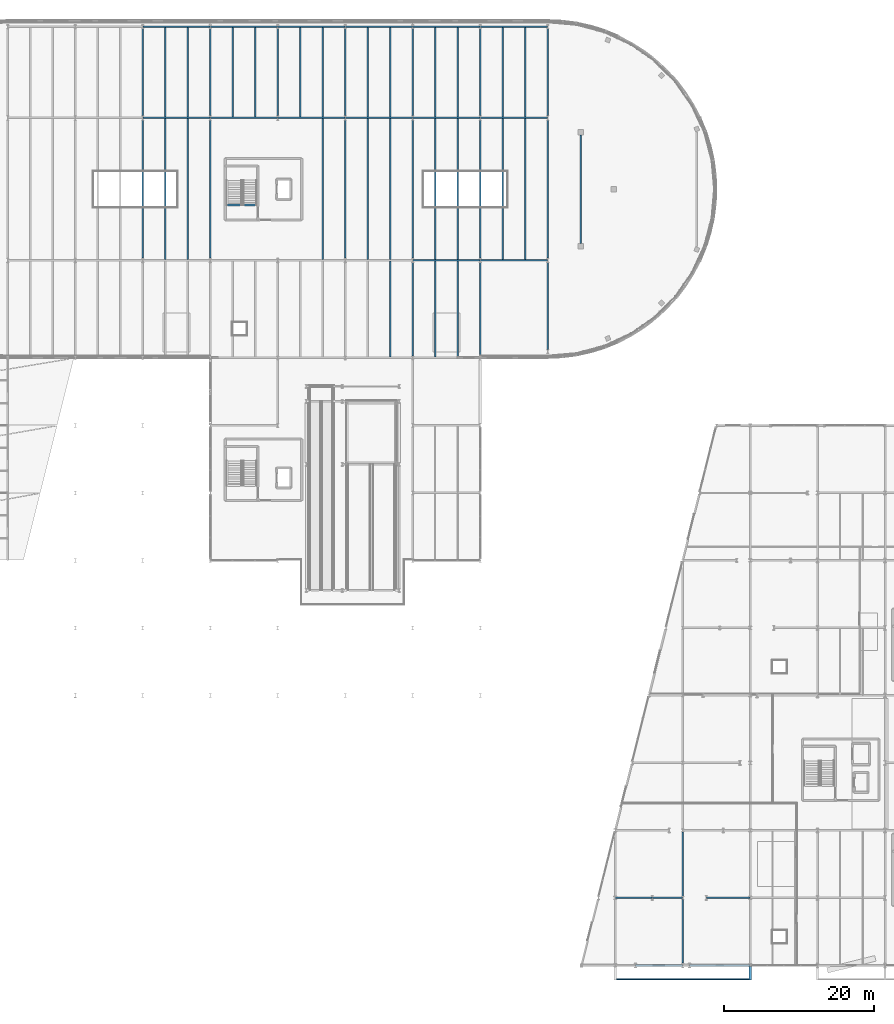
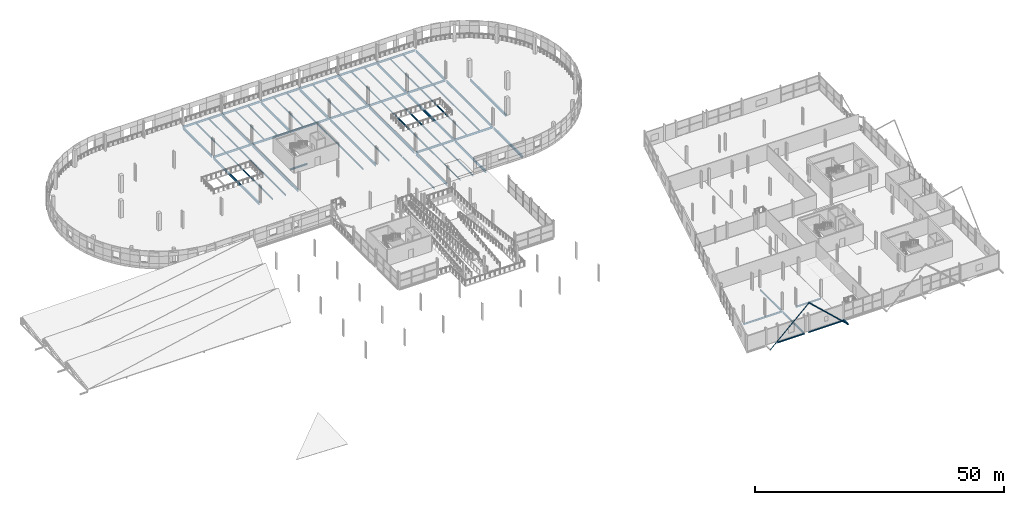
# One storey, part 41 of 103: 64 beams, 2 members.
"""IFC4 building model written with IfcOpenShell, lengths in metres."""

from ifc_helpers import new_model, si_unit, direction, frame, origin, origin_2d, place, context, subcontext, project, spatial, hollow_circle, i_section, extrude, material, material_profile, profile_set, type_object, element, save


model = new_model("IFC4")

# Units and contexts
model_context = context("Model", 3, precision=1e-05, world=origin(), true_north=direction((0.0, 1.0)))
body_context = subcontext(model_context, "Body", "Model", "MODEL_VIEW")
ifc_project = project(units=[si_unit("LENGTHUNIT", "METRE"), si_unit("AREAUNIT", "SQUARE_METRE"), si_unit("VOLUMEUNIT", "CUBIC_METRE"), si_unit("PLANEANGLEUNIT", "RADIAN"), si_unit("MASSUNIT", "GRAM", prefix="KILO")], contexts=[model_context])

# Site, building, storey
site_placement = place(None, origin())
site = spatial("IfcSite", under=ifc_project, at=site_placement, CompositionType="ELEMENT")
building_placement = place(site_placement, origin())
building = spatial("IfcBuilding", under=site, at=building_placement, Name="Deido Ridge Mobility Hub", CompositionType="ELEMENT")
storey_placement = place(building_placement, frame((0.0, 0.0, 12.60009765625)))
storey = spatial("IfcBuildingStorey", under=building, at=storey_placement, Name="L03", CompositionType="ELEMENT", Elevation=12.60009765625)

# Beams
ifc_material_1 = material(Name="Steel S355J2 EN 10025-2", Category="steel")
ifc_material_profile_1 = material_profile(ifc_material_1, i_section(OverallWidth=0.300048828125, OverallDepth=0.330078125, WebThickness=0.009521484375, FlangeThickness=0.0166015625, FilletRadius=0.027099609375, at=origin_2d()), Name="HEA 340")
ifc_profile_set_1 = profile_set([ifc_material_profile_1], Name="Steel S355J2 EN 10025-2")
beam_type_1 = type_object("IfcBeamType", Name="BM-HEA340", PredefinedType="BEAM", material=ifc_profile_set_1)
beam_1_placement = place(storey_placement, frame((74.14990234375, 101.39990234375, -0.43017578125), z_axis=(1.0, 0.0, 0.0), x_axis=(0.0, 1.0, 0.0)))
element("IfcBeam", 1, at=beam_1_placement, inside=storey, type_object=beam_type_1, Name="C5 stair landing trimmer beam B6", PredefinedType="BEAM", context=body_context, shape_type="SweptSolid", body=[
    extrude(i_section(OverallWidth=0.300048828125, OverallDepth=0.330078125, WebThickness=0.009521484375, FlangeThickness=0.0166015625, FilletRadius=0.027099609375, at=origin_2d()), origin(), (0.0, 0.0, 1.0), 4.085205078125),
])
ifc_material_profile_2 = material_profile(ifc_material_1, i_section(OverallWidth=0.179931640625, OverallDepth=0.39990234375, WebThickness=0.008544921875, FlangeThickness=0.013427734375, FilletRadius=0.02099609375, at=origin_2d()), Name="IPE 400")
ifc_profile_set_2 = profile_set([ifc_material_profile_2], Name="Steel S355J2 EN 10025-2")
beam_type_2 = type_object("IfcBeamType", Name="BM-IPE400", PredefinedType="BEAM", material=ifc_profile_set_2)
beam_2_placement = place(storey_placement, frame((126.0087890625, 9.0, -0.465087890625), z_axis=(1.0, 0.0, 0.0), x_axis=(0.0, 1.0, 0.0)))
element("IfcBeam", 2, at=beam_2_placement, inside=storey, type_object=beam_type_2, Name="Floor beam B5", PredefinedType="BEAM", context=body_context, shape_type="SweptSolid", body=[
    extrude(i_section(OverallWidth=0.179931640625, OverallDepth=0.39990234375, WebThickness=0.008544921875, FlangeThickness=0.013427734375, FilletRadius=0.02099609375, at=origin_2d()), origin(), (0.0, 0.0, 1.0), 4.93359375),
])
beam_3_placement = place(storey_placement, frame((130.957763671875, 9.0, -0.465087890625), z_axis=(1.0, 0.0, 0.0), x_axis=(0.0, 1.0, 0.0)))
element("IfcBeam", 3, at=beam_3_placement, inside=storey, type_object=beam_type_2, Name="Floor beam B5", PredefinedType="BEAM", context=body_context, shape_type="SweptSolid", body=[
    extrude(i_section(OverallWidth=0.179931640625, OverallDepth=0.39990234375, WebThickness=0.008544921875, FlangeThickness=0.013427734375, FilletRadius=0.02099609375, at=origin_2d()), origin(), (0.0, 0.0, 1.0), 4.035400390625),
])
beam_4_placement = place(storey_placement, frame((138.15771484375, 9.0, -0.465087890625), z_axis=(1.0, 0.0, 0.0), x_axis=(0.0, 1.0, 0.0)))
element("IfcBeam", 4, at=beam_4_placement, inside=storey, type_object=beam_type_2, Name="Floor beam B5", PredefinedType="BEAM", context=body_context, shape_type="SweptSolid", body=[
    extrude(i_section(OverallWidth=0.179931640625, OverallDepth=0.39990234375, WebThickness=0.008544921875, FlangeThickness=0.013427734375, FilletRadius=0.02099609375, at=origin_2d()), origin(), (0.0, 0.0, 1.0), 5.83349609375),
])
ifc_material_profile_3 = material_profile(ifc_material_1, i_section(OverallWidth=0.18994140625, OverallDepth=0.449951171875, WebThickness=0.009521484375, FlangeThickness=0.0146484375, FilletRadius=0.02099609375, at=origin_2d()), Name="IPE 450")
ifc_profile_set_3 = profile_set([ifc_material_profile_3], Name="Steel S355J2 EN 10025-2")
beam_type_3 = type_object("IfcBeamType", Name="BM-IPE450", PredefinedType="BEAM", material=ifc_profile_set_3)
beam_5_placement = place(storey_placement, frame((135.0, 0.300048828125, -0.489990234375), z_axis=(0.0, 1.0, 0.0), x_axis=(-1.0, 0.0, 0.0)))
element("IfcBeam", 5, at=beam_5_placement, inside=storey, type_object=beam_type_3, Name="Floor beam B4", PredefinedType="BEAM", context=body_context, shape_type="SweptSolid", body=[
    extrude(i_section(OverallWidth=0.18994140625, OverallDepth=0.449951171875, WebThickness=0.009521484375, FlangeThickness=0.0146484375, FilletRadius=0.02099609375, at=origin_2d()), origin(), (0.0, 0.0, 1.0), 8.5),
])
beam_6_placement = place(storey_placement, frame((135.0, 9.199951171875, -0.489990234375), z_axis=(0.0, 1.0, 0.0), x_axis=(-1.0, 0.0, 0.0)))
element("IfcBeam", 6, at=beam_6_placement, inside=storey, type_object=beam_type_3, Name="Floor beam B4", PredefinedType="BEAM", context=body_context, shape_type="SweptSolid", body=[
    extrude(i_section(OverallWidth=0.18994140625, OverallDepth=0.449951171875, WebThickness=0.009521484375, FlangeThickness=0.0146484375, FilletRadius=0.02099609375, at=origin_2d()), origin(), (0.0, 0.0, 1.0), 8.60009765625),
])
ifc_material_profile_4 = material_profile(ifc_material_1, i_section(OverallWidth=0.199951171875, OverallDepth=0.5, WebThickness=0.01025390625, FlangeThickness=0.01611328125, FilletRadius=0.02099609375, at=origin_2d()), Name="IPE 500")
ifc_profile_set_4 = profile_set([ifc_material_profile_4], Name="Steel S355J2 EN 10025-2")
beam_type_4 = type_object("IfcBeamType", Name="BM-IPE500", PredefinedType="BEAM", material=ifc_profile_set_4)
for number, where, z_axis, x_axis, name in (
    (7, (99.0078125, 94.0, -0.51513671875), (1.0, 0.0, 0.0), (0.0, 1.0, 0.0), "Floor beam B3"),
    (8, (108.0078125, 94.0, -0.51513671875), (1.0, 0.0, 0.0), (0.0, 1.0, 0.0), "Floor beam B3"),
    (9, (63.0078125, 113.0, -0.51513671875), (1.0, 0.0, 0.0), (0.0, 1.0, 0.0), "Floor beam B3"),
    (10, (72.0078125, 113.0, -0.51513671875), (1.0, 0.0, 0.0), (0.0, 1.0, 0.0), "Floor beam B3"),
    (11, (81.0078125, 113.0, -0.51513671875), (1.0, 0.0, 0.0), (0.0, 1.0, 0.0), "Floor beam B3"),
    (12, (90.0078125, 113.0, -0.51513671875), (1.0, 0.0, 0.0), (0.0, 1.0, 0.0), "Floor beam B3"),
    (13, (99.0078125, 113.0, -0.51513671875), (1.0, 0.0, 0.0), (0.0, 1.0, 0.0), "Floor beam B3"),
    (14, (108.0078125, 113.0, -0.51513671875), (1.0, 0.0, 0.0), (0.0, 1.0, 0.0), "Floor beam B3"),
):
    element("IfcBeam", number, at=place(storey_placement, frame(where, z_axis=z_axis, x_axis=x_axis)), inside=storey, type_object=beam_type_4, Name=name, PredefinedType="BEAM", context=body_context, shape_type="SweptSolid", body=[
        extrude(i_section(OverallWidth=0.199951171875, OverallDepth=0.5, WebThickness=0.01025390625, FlangeThickness=0.01611328125, FilletRadius=0.02099609375, at=origin_2d()), origin(), (0.0, 0.0, 1.0), 8.984375),
    ])
for number, where, z_axis, x_axis, name in (
    (15, (63.007080078125, 125.14990234375, -0.51513671875), (1.0, 0.0, 0.0), (0.0, 1.0, 0.0), "Floor beam B3"),
    (16, (72.007080078125, 125.14990234375, -0.51513671875), (1.0, 0.0, 0.0), (0.0, 1.0, 0.0), "Floor beam B3"),
    (17, (81.007080078125, 125.14990234375, -0.51513671875), (1.0, 0.0, 0.0), (0.0, 1.0, 0.0), "Floor beam B3"),
    (18, (90.007080078125, 125.14990234375, -0.51513671875), (1.0, 0.0, 0.0), (0.0, 1.0, 0.0), "Floor beam B3"),
    (19, (99.007080078125, 125.14990234375, -0.51513671875), (1.0, 0.0, 0.0), (0.0, 1.0, 0.0), "Floor beam B3"),
    (20, (108.007080078125, 125.14990234375, -0.51513671875), (1.0, 0.0, 0.0), (0.0, 1.0, 0.0), "Floor beam B3"),
):
    element("IfcBeam", number, at=place(storey_placement, frame(where, z_axis=z_axis, x_axis=x_axis)), inside=storey, type_object=beam_type_4, Name=name, PredefinedType="BEAM", context=body_context, shape_type="SweptSolid", body=[
        extrude(i_section(OverallWidth=0.199951171875, OverallDepth=0.5, WebThickness=0.01025390625, FlangeThickness=0.01611328125, FilletRadius=0.02099609375, at=origin_2d()), origin(), (0.0, 0.0, 1.0), 8.98583984375),
    ])
ifc_material_profile_5 = material_profile(ifc_material_1, i_section(OverallWidth=0.219970703125, OverallDepth=0.60009765625, WebThickness=0.011962890625, FlangeThickness=0.01904296875, FilletRadius=0.02392578125, at=origin_2d()), Name="IPE 600")
ifc_profile_set_5 = profile_set([ifc_material_profile_5], Name="Steel S355J2 EN 10025-2")
beam_type_5 = type_object("IfcBeamType", Name="BM-IPE600", PredefinedType="BEAM", material=ifc_profile_set_5)
beam_7_placement = place(storey_placement, frame((63.0, 94.300048828125, -0.565185546875), z_axis=(0.0, 1.0, 0.0), x_axis=(-1.0, 0.0, 0.0)))
element("IfcBeam", 21, at=beam_7_placement, inside=storey, type_object=beam_type_5, Name="Floor beam B1", PredefinedType="BEAM", context=body_context, shape_type="SweptSolid", body=[
    extrude(i_section(OverallWidth=0.219970703125, OverallDepth=0.60009765625, WebThickness=0.011962890625, FlangeThickness=0.01904296875, FilletRadius=0.02392578125, at=origin_2d()), origin(), (0.0, 0.0, 1.0), 18.39990234375),
])
beam_8_placement = place(storey_placement, frame((63.0, 113.300048828125, -0.565185546875), z_axis=(0.0, 1.0, 0.0), x_axis=(-1.0, 0.0, 0.0)))
element("IfcBeam", 22, at=beam_8_placement, inside=storey, type_object=beam_type_5, Name="Floor beam B1", PredefinedType="BEAM", context=body_context, shape_type="SweptSolid", body=[
    extrude(i_section(OverallWidth=0.219970703125, OverallDepth=0.60009765625, WebThickness=0.011962890625, FlangeThickness=0.01904296875, FilletRadius=0.02392578125, at=origin_2d()), origin(), (0.0, 0.0, 1.0), 11.599853515625),
])
beam_9_placement = place(storey_placement, frame((72.0, 94.300048828125, -0.565185546875), z_axis=(0.0, 1.0, 0.0), x_axis=(-1.0, 0.0, 0.0)))
element("IfcBeam", 23, at=beam_9_placement, inside=storey, type_object=beam_type_5, Name="Floor beam B1", PredefinedType="BEAM", context=body_context, shape_type="SweptSolid", body=[
    extrude(i_section(OverallWidth=0.219970703125, OverallDepth=0.60009765625, WebThickness=0.011962890625, FlangeThickness=0.01904296875, FilletRadius=0.02392578125, at=origin_2d()), origin(), (0.0, 0.0, 1.0), 18.39990234375),
])
for number, where, z_axis, x_axis, name in (
    (24, (72.0, 113.300048828125, -0.565185546875), (0.0, 1.0, 0.0), (-1.0, 0.0, 0.0), "Floor beam B1"),
    (25, (81.0, 113.300048828125, -0.565185546875), (0.0, 1.0, 0.0), (-1.0, 0.0, 0.0), "Floor beam B1"),
):
    element("IfcBeam", number, at=place(storey_placement, frame(where, z_axis=z_axis, x_axis=x_axis)), inside=storey, type_object=beam_type_5, Name=name, PredefinedType="BEAM", context=body_context, shape_type="SweptSolid", body=[
        extrude(i_section(OverallWidth=0.219970703125, OverallDepth=0.60009765625, WebThickness=0.011962890625, FlangeThickness=0.01904296875, FilletRadius=0.02392578125, at=origin_2d()), origin(), (0.0, 0.0, 1.0), 11.599853515625),
    ])
beam_10_placement = place(storey_placement, frame((90.0, 94.300048828125, -0.565185546875), z_axis=(0.0, 1.0, 0.0), x_axis=(-1.0, 0.0, 0.0)))
element("IfcBeam", 26, at=beam_10_placement, inside=storey, type_object=beam_type_5, Name="Floor beam B1", PredefinedType="BEAM", context=body_context, shape_type="SweptSolid", body=[
    extrude(i_section(OverallWidth=0.219970703125, OverallDepth=0.60009765625, WebThickness=0.011962890625, FlangeThickness=0.01904296875, FilletRadius=0.02392578125, at=origin_2d()), origin(), (0.0, 0.0, 1.0), 18.39990234375),
])
beam_11_placement = place(storey_placement, frame((90.0, 113.300048828125, -0.565185546875), z_axis=(0.0, 1.0, 0.0), x_axis=(-1.0, 0.0, 0.0)))
element("IfcBeam", 27, at=beam_11_placement, inside=storey, type_object=beam_type_5, Name="Floor beam B1", PredefinedType="BEAM", context=body_context, shape_type="SweptSolid", body=[
    extrude(i_section(OverallWidth=0.219970703125, OverallDepth=0.60009765625, WebThickness=0.011962890625, FlangeThickness=0.01904296875, FilletRadius=0.02392578125, at=origin_2d()), origin(), (0.0, 0.0, 1.0), 11.599853515625),
])
beam_12_placement = place(storey_placement, frame((99.0, 81.25, -0.565185546875), z_axis=(0.0, 1.0, 0.0), x_axis=(-1.0, 0.0, 0.0)))
element("IfcBeam", 28, at=beam_12_placement, inside=storey, type_object=beam_type_5, Name="Floor beam B1", PredefinedType="BEAM", context=body_context, shape_type="SweptSolid", body=[
    extrude(i_section(OverallWidth=0.219970703125, OverallDepth=0.60009765625, WebThickness=0.011962890625, FlangeThickness=0.01904296875, FilletRadius=0.02392578125, at=origin_2d()), origin(), (0.0, 0.0, 1.0), 12.449951171875),
])
beam_13_placement = place(storey_placement, frame((99.0, 94.300048828125, -0.565185546875), z_axis=(0.0, 1.0, 0.0), x_axis=(-1.0, 0.0, 0.0)))
element("IfcBeam", 29, at=beam_13_placement, inside=storey, type_object=beam_type_5, Name="Floor beam B1", PredefinedType="BEAM", context=body_context, shape_type="SweptSolid", body=[
    extrude(i_section(OverallWidth=0.219970703125, OverallDepth=0.60009765625, WebThickness=0.011962890625, FlangeThickness=0.01904296875, FilletRadius=0.02392578125, at=origin_2d()), origin(), (0.0, 0.0, 1.0), 18.39990234375),
])
beam_14_placement = place(storey_placement, frame((99.0, 113.300048828125, -0.565185546875), z_axis=(0.0, 1.0, 0.0), x_axis=(-1.0, 0.0, 0.0)))
element("IfcBeam", 30, at=beam_14_placement, inside=storey, type_object=beam_type_5, Name="Floor beam B1", PredefinedType="BEAM", context=body_context, shape_type="SweptSolid", body=[
    extrude(i_section(OverallWidth=0.219970703125, OverallDepth=0.60009765625, WebThickness=0.011962890625, FlangeThickness=0.01904296875, FilletRadius=0.02392578125, at=origin_2d()), origin(), (0.0, 0.0, 1.0), 11.599853515625),
])
beam_15_placement = place(storey_placement, frame((108.0, 81.25, -0.565185546875), z_axis=(0.0, 1.0, 0.0), x_axis=(-1.0, 0.0, 0.0)))
element("IfcBeam", 31, at=beam_15_placement, inside=storey, type_object=beam_type_5, Name="Floor beam B1", PredefinedType="BEAM", context=body_context, shape_type="SweptSolid", body=[
    extrude(i_section(OverallWidth=0.219970703125, OverallDepth=0.60009765625, WebThickness=0.011962890625, FlangeThickness=0.01904296875, FilletRadius=0.02392578125, at=origin_2d()), origin(), (0.0, 0.0, 1.0), 12.449951171875),
])
beam_16_placement = place(storey_placement, frame((108.0, 94.300048828125, -0.565185546875), z_axis=(0.0, 1.0, 0.0), x_axis=(-1.0, 0.0, 0.0)))
element("IfcBeam", 32, at=beam_16_placement, inside=storey, type_object=beam_type_5, Name="Floor beam B1", PredefinedType="BEAM", context=body_context, shape_type="SweptSolid", body=[
    extrude(i_section(OverallWidth=0.219970703125, OverallDepth=0.60009765625, WebThickness=0.011962890625, FlangeThickness=0.01904296875, FilletRadius=0.02392578125, at=origin_2d()), origin(), (0.0, 0.0, 1.0), 18.39990234375),
])
for number, where, z_axis, x_axis, name in (
    (33, (108.0, 113.300048828125, -0.565185546875), (0.0, 1.0, 0.0), (-1.0, 0.0, 0.0), "Floor beam B1"),
    (34, (117.0, 82.10009765625, -0.565185546875), (0.0, 1.0, 0.0), (-1.0, 0.0, 0.0), "Floor beam B1"),
):
    element("IfcBeam", number, at=place(storey_placement, frame(where, z_axis=z_axis, x_axis=x_axis)), inside=storey, type_object=beam_type_5, Name=name, PredefinedType="BEAM", context=body_context, shape_type="SweptSolid", body=[
        extrude(i_section(OverallWidth=0.219970703125, OverallDepth=0.60009765625, WebThickness=0.011962890625, FlangeThickness=0.01904296875, FilletRadius=0.02392578125, at=origin_2d()), origin(), (0.0, 0.0, 1.0), 11.599853515625),
    ])
beam_17_placement = place(storey_placement, frame((117.0, 94.300048828125, -0.565185546875), z_axis=(0.0, 1.0, 0.0), x_axis=(-1.0, 0.0, 0.0)))
element("IfcBeam", 35, at=beam_17_placement, inside=storey, type_object=beam_type_5, Name="Floor beam B1", PredefinedType="BEAM", context=body_context, shape_type="SweptSolid", body=[
    extrude(i_section(OverallWidth=0.219970703125, OverallDepth=0.60009765625, WebThickness=0.011962890625, FlangeThickness=0.01904296875, FilletRadius=0.02392578125, at=origin_2d()), origin(), (0.0, 0.0, 1.0), 18.39990234375),
])
beam_18_placement = place(storey_placement, frame((117.0, 113.300048828125, -0.565185546875), z_axis=(0.0, 1.0, 0.0), x_axis=(-1.0, 0.0, 0.0)))
element("IfcBeam", 36, at=beam_18_placement, inside=storey, type_object=beam_type_5, Name="Floor beam B1", PredefinedType="BEAM", context=body_context, shape_type="SweptSolid", body=[
    extrude(i_section(OverallWidth=0.219970703125, OverallDepth=0.60009765625, WebThickness=0.011962890625, FlangeThickness=0.01904296875, FilletRadius=0.02392578125, at=origin_2d()), origin(), (0.0, 0.0, 1.0), 11.599853515625),
])
beam_19_placement = place(storey_placement, frame((121.39990234375, 96.2548828125, -0.565185546875), z_axis=(0.0, 1.0, 0.0), x_axis=(-1.0, 0.0, 0.0)))
element("IfcBeam", 37, at=beam_19_placement, inside=storey, type_object=beam_type_5, Name="Floor beam B1", PredefinedType="BEAM", context=body_context, shape_type="SweptSolid", body=[
    extrude(i_section(OverallWidth=0.219970703125, OverallDepth=0.60009765625, WebThickness=0.011962890625, FlangeThickness=0.01904296875, FilletRadius=0.02392578125, at=origin_2d()), origin(), (0.0, 0.0, 1.0), 14.490234375),
])
ifc_material_profile_6 = material_profile(ifc_material_1, i_section(OverallWidth=0.159912109375, OverallDepth=0.330078125, WebThickness=0.007568359375, FlangeThickness=0.011474609375, FilletRadius=0.01806640625, at=origin_2d()), Name="IPE 330")
ifc_profile_set_6 = profile_set([ifc_material_profile_6], Name="Steel S355J2 EN 10025-2")
beam_type_6 = type_object("IfcBeamType", Name="JST-IPE330", PredefinedType="JOIST", material=ifc_profile_set_6)
beam_20_placement = place(storey_placement, frame((102.0, 81.10009765625, -0.43017578125), z_axis=(0.0, 1.0, 0.0), x_axis=(-1.0, 0.0, 0.0)))
element("IfcBeam", 38, at=beam_20_placement, inside=storey, type_object=beam_type_6, Name="Composite joist J2", PredefinedType="JOIST", context=body_context, shape_type="SweptSolid", body=[
    extrude(i_section(OverallWidth=0.159912109375, OverallDepth=0.330078125, WebThickness=0.007568359375, FlangeThickness=0.011474609375, FilletRadius=0.01806640625, at=origin_2d()), origin(), (0.0, 0.0, 1.0), 12.7998046875),
])
for number, where, z_axis, x_axis, name in (
    (39, (66.0, 94.10009765625, -0.43017578125), (0.0, 1.0, 0.0), (-1.0, 0.0, 0.0), "Composite joist J2"),
    (40, (93.0, 94.10009765625, -0.43017578125), (0.0, 1.0, 0.0), (-1.0, 0.0, 0.0), "Composite joist J2"),
    (41, (102.0, 94.10009765625, -0.43017578125), (0.0, 1.0, 0.0), (-1.0, 0.0, 0.0), "Composite joist J2"),
    (42, (111.0, 94.10009765625, -0.43017578125), (0.0, 1.0, 0.0), (-1.0, 0.0, 0.0), "Composite joist J2"),
):
    element("IfcBeam", number, at=place(storey_placement, frame(where, z_axis=z_axis, x_axis=x_axis)), inside=storey, type_object=beam_type_6, Name=name, PredefinedType="JOIST", context=body_context, shape_type="SweptSolid", body=[
        extrude(i_section(OverallWidth=0.159912109375, OverallDepth=0.330078125, WebThickness=0.007568359375, FlangeThickness=0.011474609375, FilletRadius=0.01806640625, at=origin_2d()), origin(), (0.0, 0.0, 1.0), 18.7998046875),
    ])
for number, where, z_axis, x_axis, name in (
    (43, (66.0, 113.10009765625, -0.43017578125), (0.0, 1.0, 0.0), (-1.0, 0.0, 0.0), "Composite joist J2"),
    (44, (75.0, 113.10009765625, -0.43017578125), (0.0, 1.0, 0.0), (-1.0, 0.0, 0.0), "Composite joist J2"),
    (45, (84.0, 113.10009765625, -0.43017578125), (0.0, 1.0, 0.0), (-1.0, 0.0, 0.0), "Composite joist J2"),
    (46, (93.0, 113.10009765625, -0.43017578125), (0.0, 1.0, 0.0), (-1.0, 0.0, 0.0), "Composite joist J2"),
    (47, (102.0, 113.10009765625, -0.43017578125), (0.0, 1.0, 0.0), (-1.0, 0.0, 0.0), "Composite joist J2"),
    (48, (111.0, 113.10009765625, -0.43017578125), (0.0, 1.0, 0.0), (-1.0, 0.0, 0.0), "Composite joist J2"),
):
    element("IfcBeam", number, at=place(storey_placement, frame(where, z_axis=z_axis, x_axis=x_axis)), inside=storey, type_object=beam_type_6, Name=name, PredefinedType="JOIST", context=body_context, shape_type="SweptSolid", body=[
        extrude(i_section(OverallWidth=0.159912109375, OverallDepth=0.330078125, WebThickness=0.007568359375, FlangeThickness=0.011474609375, FilletRadius=0.01806640625, at=origin_2d()), origin(), (0.0, 0.0, 1.0), 11.949951171875),
    ])
ifc_material_profile_7 = material_profile(ifc_material_1, i_section(OverallWidth=0.169921875, OverallDepth=0.360107421875, WebThickness=0.008056640625, FlangeThickness=0.0126953125, FilletRadius=0.01806640625, at=origin_2d()), Name="IPE 360")
ifc_profile_set_7 = profile_set([ifc_material_profile_7], Name="Steel S355J2 EN 10025-2")
beam_type_7 = type_object("IfcBeamType", Name="JST-IPE360", PredefinedType="JOIST", material=ifc_profile_set_7)
for number, where, z_axis, x_axis, name in (
    (49, (96.0, 81.10009765625, -0.445068359375), (0.0, 1.0, 0.0), (-1.0, 0.0, 0.0), "Composite joist J1"),
    (50, (105.0, 81.10009765625, -0.445068359375), (0.0, 1.0, 0.0), (-1.0, 0.0, 0.0), "Composite joist J1"),
):
    element("IfcBeam", number, at=place(storey_placement, frame(where, z_axis=z_axis, x_axis=x_axis)), inside=storey, type_object=beam_type_7, Name=name, PredefinedType="JOIST", context=body_context, shape_type="SweptSolid", body=[
        extrude(i_section(OverallWidth=0.169921875, OverallDepth=0.360107421875, WebThickness=0.008056640625, FlangeThickness=0.0126953125, FilletRadius=0.01806640625, at=origin_2d()), origin(), (0.0, 0.0, 1.0), 12.7998046875),
    ])
for number, where, z_axis, x_axis, name in (
    (51, (69.0, 94.10009765625, -0.445068359375), (0.0, 1.0, 0.0), (-1.0, 0.0, 0.0), "Composite joist J1"),
    (52, (87.0, 94.10009765625, -0.445068359375), (0.0, 1.0, 0.0), (-1.0, 0.0, 0.0), "Composite joist J1"),
    (53, (96.0, 94.10009765625, -0.445068359375), (0.0, 1.0, 0.0), (-1.0, 0.0, 0.0), "Composite joist J1"),
    (54, (105.0, 94.10009765625, -0.445068359375), (0.0, 1.0, 0.0), (-1.0, 0.0, 0.0), "Composite joist J1"),
    (55, (114.0, 94.10009765625, -0.445068359375), (0.0, 1.0, 0.0), (-1.0, 0.0, 0.0), "Composite joist J1"),
):
    element("IfcBeam", number, at=place(storey_placement, frame(where, z_axis=z_axis, x_axis=x_axis)), inside=storey, type_object=beam_type_7, Name=name, PredefinedType="JOIST", context=body_context, shape_type="SweptSolid", body=[
        extrude(i_section(OverallWidth=0.169921875, OverallDepth=0.360107421875, WebThickness=0.008056640625, FlangeThickness=0.0126953125, FilletRadius=0.01806640625, at=origin_2d()), origin(), (0.0, 0.0, 1.0), 18.7998046875),
    ])
for number, where, z_axis, x_axis, name in (
    (56, (69.0, 113.10009765625, -0.445068359375), (0.0, 1.0, 0.0), (-1.0, 0.0, 0.0), "Composite joist J1"),
    (57, (78.0, 113.10009765625, -0.445068359375), (0.0, 1.0, 0.0), (-1.0, 0.0, 0.0), "Composite joist J1"),
    (58, (87.0, 113.10009765625, -0.445068359375), (0.0, 1.0, 0.0), (-1.0, 0.0, 0.0), "Composite joist J1"),
    (59, (96.0, 113.10009765625, -0.445068359375), (0.0, 1.0, 0.0), (-1.0, 0.0, 0.0), "Composite joist J1"),
    (60, (105.0, 113.10009765625, -0.445068359375), (0.0, 1.0, 0.0), (-1.0, 0.0, 0.0), "Composite joist J1"),
    (61, (114.0, 113.10009765625, -0.445068359375), (0.0, 1.0, 0.0), (-1.0, 0.0, 0.0), "Composite joist J1"),
):
    element("IfcBeam", number, at=place(storey_placement, frame(where, z_axis=z_axis, x_axis=x_axis)), inside=storey, type_object=beam_type_7, Name=name, PredefinedType="JOIST", context=body_context, shape_type="SweptSolid", body=[
        extrude(i_section(OverallWidth=0.169921875, OverallDepth=0.360107421875, WebThickness=0.008056640625, FlangeThickness=0.0126953125, FilletRadius=0.01806640625, at=origin_2d()), origin(), (0.0, 0.0, 1.0), 11.949951171875),
    ])

# Members
ifc_material_2 = material(Name="Steel S355J2H EN 10210-1", Category="steel")
ifc_material_profile_8 = material_profile(ifc_material_2, hollow_circle(Radius=0.084228515625, WallThickness=0.008056640625, at=origin_2d()), Name="CHS 168.3x8")
ifc_profile_set_8 = profile_set([ifc_material_profile_8], Name="Steel S355J2H EN 10210-1")
member_type = type_object("IfcMemberType", Name="MEM-STR-CHS168", PredefinedType="STRUT", material=ifc_profile_set_8)
for number, where, z_axis, x_axis, name in (
    (62, (126.0, -1.85009765625, -0.150146484375), (0.731049333052, 0.0, 0.682324609438), (0.0, 1.0, 0.0), "Deconstructivist facade diagrid strut SR1"),
    (63, (144.0, -1.85009765625, -0.150146484375), (-0.731049333052, 0.0, 0.682324609438), (0.0, -1.0, 0.0), "Deconstructivist facade diagrid strut SR1"),
):
    element("IfcMember", number, at=place(storey_placement, frame(where, z_axis=z_axis, x_axis=x_axis)), inside=storey, type_object=member_type, Name=name, PredefinedType="STRUT", context=body_context, shape_type="SweptSolid", body=[
        extrude(hollow_circle(Radius=0.084228515625, WallThickness=0.008056640625, at=origin_2d()), origin(), (0.0, 0.0, 1.0), 12.31103515625),
    ])

# Beams
ifc_material_profile_9 = material_profile(ifc_material_1, i_section(OverallWidth=0.280029296875, OverallDepth=0.27001953125, WebThickness=0.008056640625, FlangeThickness=0.012939453125, FilletRadius=0.02392578125, at=origin_2d()), Name="HEA 280")
ifc_profile_set_9 = profile_set([ifc_material_profile_9], Name="Steel S355J2 EN 10025-2")
beam_type_8 = type_object("IfcBeamType", Name="SPD-HEA280", PredefinedType="SPANDREL", material=ifc_profile_set_9)
beam_21_placement = place(storey_placement, frame((128.707763671875, 0.0, -0.400146484375), z_axis=(1.0, 0.0, 0.0), x_axis=(0.0, 1.0, 0.0)))
element("IfcBeam", 64, at=beam_21_placement, inside=storey, type_object=beam_type_8, Name="Floor beam SP2", PredefinedType="SPANDREL", context=body_context, shape_type="SweptSolid", body=[
    extrude(i_section(OverallWidth=0.280029296875, OverallDepth=0.27001953125, WebThickness=0.008056640625, FlangeThickness=0.012939453125, FilletRadius=0.02392578125, at=origin_2d()), origin(), (0.0, 0.0, 1.0), 6.284423828125),
])
beam_22_placement = place(storey_placement, frame((135.90771484375, 0.0, -0.400146484375), z_axis=(1.0, 0.0, 0.0), x_axis=(0.0, 1.0, 0.0)))
element("IfcBeam", 65, at=beam_22_placement, inside=storey, type_object=beam_type_8, Name="Floor beam SP2", PredefinedType="SPANDREL", context=body_context, shape_type="SweptSolid", body=[
    extrude(i_section(OverallWidth=0.280029296875, OverallDepth=0.27001953125, WebThickness=0.008056640625, FlangeThickness=0.012939453125, FilletRadius=0.02392578125, at=origin_2d()), origin(), (0.0, 0.0, 1.0), 8.08349609375),
])
ifc_material_profile_10 = material_profile(ifc_material_1, i_section(OverallWidth=0.300048828125, OverallDepth=0.300048828125, WebThickness=0.010986328125, FlangeThickness=0.01904296875, FilletRadius=0.027099609375, at=origin_2d()), Name="HEB 300")
ifc_profile_set_10 = profile_set([ifc_material_profile_10], Name="Steel S355J2 EN 10025-2")
beam_type_9 = type_object("IfcBeamType", Name="SPD-HEB300", PredefinedType="SPANDREL", material=ifc_profile_set_10)
beam_23_placement = place(storey_placement, frame((144.0, -0.050048828125, -0.150146484375), z_axis=(0.0, -1.0, 0.0), x_axis=(1.0, 0.0, 0.0)))
element("IfcBeam", 66, at=beam_23_placement, inside=storey, type_object=beam_type_9, Name="Exoskeleton outrigger beam SP1", PredefinedType="SPANDREL", context=body_context, shape_type="SweptSolid", body=[
    extrude(i_section(OverallWidth=0.300048828125, OverallDepth=0.300048828125, WebThickness=0.010986328125, FlangeThickness=0.01904296875, FilletRadius=0.027099609375, at=origin_2d()), origin(), (0.0, 0.0, 1.0), 1.89990234375),
])

save(model, "model.ifc")
